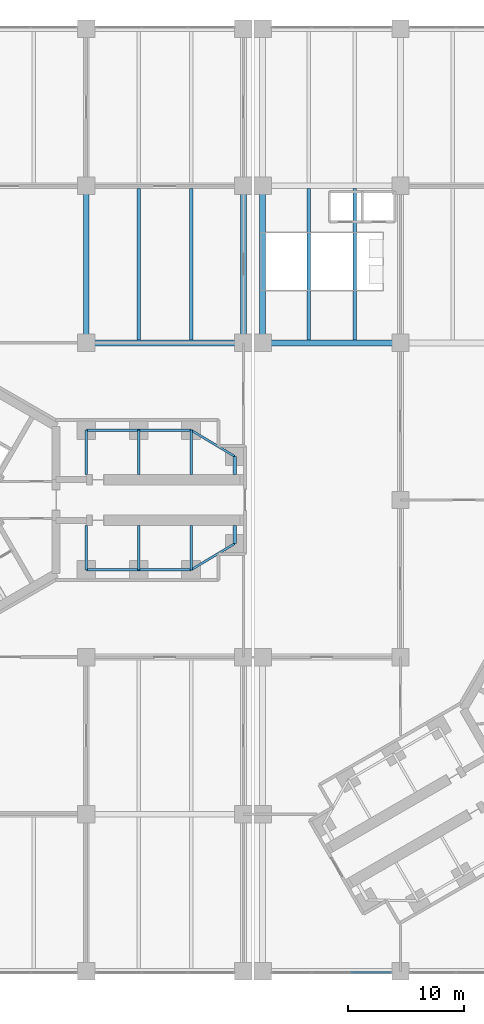
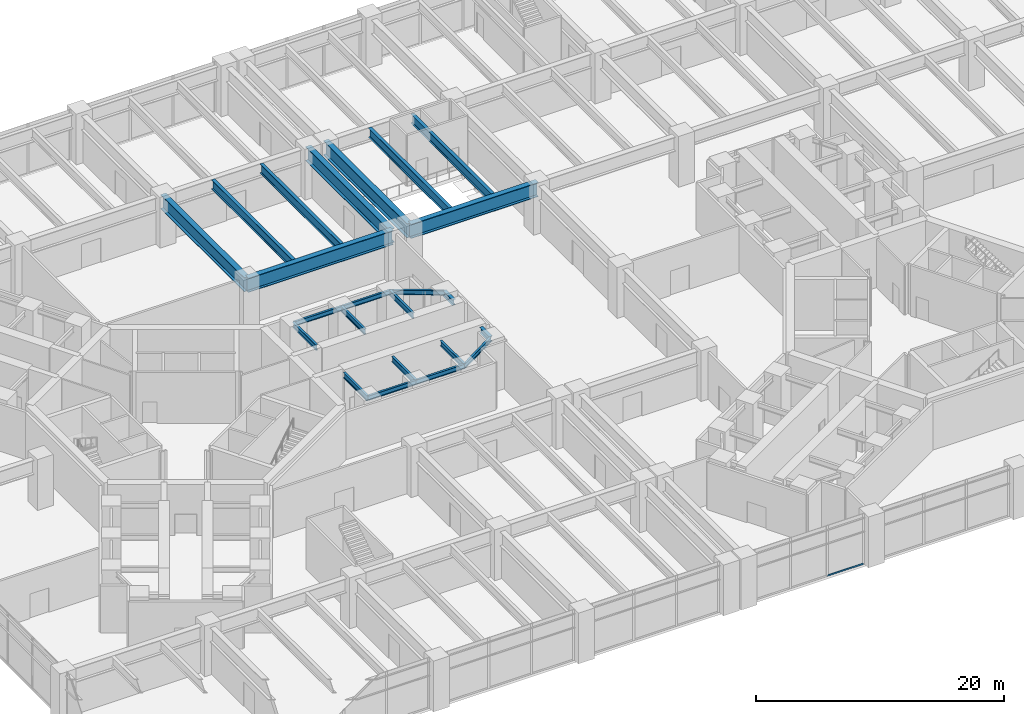
# One storey, part 8 of 31: 23 beams, 1 member, 1 element without a shape of its own.
"""IFC4 building model written with IfcOpenShell, lengths in metres."""

from ifc_helpers import new_model, si_unit, direction, frame, origin, origin_2d, place, context, subcontext, project, spatial, rectangle, i_section, extrude, material, material_profile, profile_set, type_object, element, aggregate, save


model = new_model("IFC4")

# Units and contexts
model_context = context("Model", 3, precision=1e-05, world=origin(), true_north=direction((0.0, 1.0)))
body_context = subcontext(model_context, "Body", "Model", "MODEL_VIEW")
ifc_project = project(units=[si_unit("LENGTHUNIT", "METRE"), si_unit("AREAUNIT", "SQUARE_METRE"), si_unit("VOLUMEUNIT", "CUBIC_METRE"), si_unit("PLANEANGLEUNIT", "RADIAN"), si_unit("MASSUNIT", "GRAM", prefix="KILO")], contexts=[model_context])

# Site, building, storey
site_placement = place(None, origin())
site = spatial("IfcSite", under=ifc_project, at=site_placement, CompositionType="ELEMENT")
building_placement = place(site_placement, origin())
building = spatial("IfcBuilding", under=site, at=building_placement, Name="Upepo Twin Towers", CompositionType="ELEMENT")
storey_placement = place(building_placement, frame((0.0, 0.0, 15.5)))
storey = spatial("IfcBuildingStorey", under=building, at=storey_placement, Name="L03", CompositionType="ELEMENT", Elevation=15.5)

# Beams
ifc_material_1 = material(Name="Steel S355", Category="steel")
ifc_material_profile_1 = material_profile(ifc_material_1, i_section(OverallWidth=0.5, OverallDepth=1.39990234375, WebThickness=0.02490234375, FlangeThickness=0.050048828125, FilletRadius=0.008056640625, at=origin_2d()), Name="PG 1400x500x25x50")
ifc_profile_set_1 = profile_set([ifc_material_profile_1], Name="Steel S355")
beam_type_1 = type_object("IfcBeamType", Name="Beam PG 1400x500x25x50", PredefinedType="BEAM", material=ifc_profile_set_1)
beam_1_placement = place(storey_placement, frame((13.5, 13.5, 3.949951171875), z_axis=(1.0, 0.0, 0.0), x_axis=(0.0, 1.0, 0.0)))
element("IfcBeam", 1, at=beam_1_placement, inside=storey, type_object=beam_type_1, Name="Podium girder E/4-5", PredefinedType="BEAM", context=body_context, shape_type="SweptSolid", body=[
    extrude(i_section(OverallWidth=0.5, OverallDepth=1.39990234375, WebThickness=0.02490234375, FlangeThickness=0.050048828125, FilletRadius=0.008056640625, at=origin_2d()), origin(), (0.0, 0.0, 1.0), 13.5),
])
beam_2_placement = place(storey_placement, frame((28.64990234375, 13.5, 3.949951171875), z_axis=(1.0, 0.0, 0.0), x_axis=(0.0, 1.0, 0.0)))
element("IfcBeam", 2, at=beam_2_placement, inside=storey, type_object=beam_type_1, Name="Podium girder E/5a-6", PredefinedType="BEAM", context=body_context, shape_type="SweptSolid", body=[
    extrude(i_section(OverallWidth=0.5, OverallDepth=1.39990234375, WebThickness=0.02490234375, FlangeThickness=0.050048828125, FilletRadius=0.008056640625, at=origin_2d()), origin(), (0.0, 0.0, 1.0), 11.85009765625),
])
for number, where, z_axis, x_axis, name in (
    (3, (13.5, 13.5, 3.949951171875), (0.0, 1.0, 0.0), (-1.0, 0.0, 0.0), "Podium girder 4/E-F"),
    (4, (27.0, 13.5, 3.949951171875), (0.0, 1.0, 0.0), (-1.0, 0.0, 0.0), "Podium girder 5/E-F"),
    (5, (28.64990234375, 13.5, 3.949951171875), (0.0, 1.0, 0.0), (-1.0, 0.0, 0.0), "Podium girder 5a/E-F"),
):
    element("IfcBeam", number, at=place(storey_placement, frame(where, z_axis=z_axis, x_axis=x_axis)), inside=storey, type_object=beam_type_1, Name=name, PredefinedType="BEAM", context=body_context, shape_type="SweptSolid", body=[
        extrude(i_section(OverallWidth=0.5, OverallDepth=1.39990234375, WebThickness=0.02490234375, FlangeThickness=0.050048828125, FilletRadius=0.008056640625, at=origin_2d()), origin(), (0.0, 0.0, 1.0), 13.5),
    ])
ifc_material_2 = material(Name="Steel S355", Category="steel")
ifc_material_profile_2 = material_profile(ifc_material_2, i_section(OverallWidth=0.1904296875, OverallDepth=0.45703125, WebThickness=0.009033203125, FlangeThickness=0.014404296875, FilletRadius=0.01025390625, at=origin_2d()), Name="UB 457x191x74")
ifc_profile_set_2 = profile_set([ifc_material_profile_2], Name="Steel S355")
beam_type_2 = type_object("IfcBeamType", Name="Beam UB 457x191x74", PredefinedType="BEAM", material=ifc_profile_set_2)
for number, where, z_axis, x_axis, name in (
    (6, (13.5, 6.0, 4.571533203125), (1.0, 0.0, 0.0), (0.0, 1.0, 0.0), "T1 edge beam AL 13.5-18.0"),
    (7, (18.0, 6.0, 4.571533203125), (1.0, 0.0, 0.0), (0.0, 1.0, 0.0), "T1 edge beam AL 18.0-22.5"),
):
    element("IfcBeam", number, at=place(storey_placement, frame(where, z_axis=z_axis, x_axis=x_axis)), inside=storey, type_object=beam_type_2, Name=name, PredefinedType="BEAM", context=body_context, shape_type="SweptSolid", body=[
        extrude(i_section(OverallWidth=0.1904296875, OverallDepth=0.45703125, WebThickness=0.009033203125, FlangeThickness=0.014404296875, FilletRadius=0.01025390625, at=origin_2d()), origin(), (0.0, 0.0, 1.0), 4.5),
    ])
beam_3_placement = place(storey_placement, frame((22.5, 6.0, 4.571533203125), z_axis=(0.857492925713, -0.514495755428, 0.0), x_axis=(0.514495755428, 0.857492925713, 0.0)))
element("IfcBeam", 8, at=beam_3_placement, inside=storey, type_object=beam_type_2, Name="T1 nose edge beam AL", PredefinedType="BEAM", context=body_context, shape_type="SweptSolid", body=[
    extrude(i_section(OverallWidth=0.1904296875, OverallDepth=0.45703125, WebThickness=0.009033203125, FlangeThickness=0.014404296875, FilletRadius=0.01025390625, at=origin_2d()), origin(), (0.0, 0.0, 1.0), 4.373291015625),
])
for number, where, z_axis, x_axis, name in (
    (9, (13.5, -6.0, 4.571533203125), (1.0, 0.0, 0.0), (0.0, 1.0, 0.0), "T1 edge beam AR 13.5-18.0"),
    (10, (18.0, -6.0, 4.571533203125), (1.0, 0.0, 0.0), (0.0, 1.0, 0.0), "T1 edge beam AR 18.0-22.5"),
):
    element("IfcBeam", number, at=place(storey_placement, frame(where, z_axis=z_axis, x_axis=x_axis)), inside=storey, type_object=beam_type_2, Name=name, PredefinedType="BEAM", context=body_context, shape_type="SweptSolid", body=[
        extrude(i_section(OverallWidth=0.1904296875, OverallDepth=0.45703125, WebThickness=0.009033203125, FlangeThickness=0.014404296875, FilletRadius=0.01025390625, at=origin_2d()), origin(), (0.0, 0.0, 1.0), 4.5),
    ])
beam_4_placement = place(storey_placement, frame((22.5, -6.0, 4.571533203125), z_axis=(0.857492925713, 0.514495755428, 0.0), x_axis=(-0.514495755428, 0.857492925713, 0.0)))
element("IfcBeam", 11, at=beam_4_placement, inside=storey, type_object=beam_type_2, Name="T1 nose edge beam AR", PredefinedType="BEAM", context=body_context, shape_type="SweptSolid", body=[
    extrude(i_section(OverallWidth=0.1904296875, OverallDepth=0.45703125, WebThickness=0.009033203125, FlangeThickness=0.014404296875, FilletRadius=0.01025390625, at=origin_2d()), origin(), (0.0, 0.0, 1.0), 4.373291015625),
])
ifc_material_3 = material(Name="Steel S355", Category="steel")
ifc_material_profile_3 = material_profile(ifc_material_3, i_section(OverallWidth=0.209228515625, OverallDepth=0.533203125, WebThickness=0.010009765625, FlangeThickness=0.015625, FilletRadius=0.0126953125, at=origin_2d()), Name="UB 533x210x92")
ifc_profile_set_3 = profile_set([ifc_material_profile_3], Name="Steel S355")
beam_type_3 = type_object("IfcBeamType", Name="Beam UB 533x210x92", PredefinedType="BEAM", material=ifc_profile_set_3)
for number, where, z_axis, x_axis, name in (
    (12, (13.5, 6.0, 4.533447265625), (0.0, -1.0, 0.0), (1.0, 0.0, 0.0), "T1 girder AL at 13.5"),
    (13, (18.0, 6.0, 4.533447265625), (0.0, -1.0, 0.0), (1.0, 0.0, 0.0), "T1 girder AL at 18.0"),
    (14, (22.5, 6.0, 4.533447265625), (0.0, -1.0, 0.0), (1.0, 0.0, 0.0), "T1 girder AL at 22.5"),
    (15, (13.5, -6.0, 4.533447265625), (0.0, 1.0, 0.0), (-1.0, 0.0, 0.0), "T1 girder AR at 13.5"),
    (16, (18.0, -6.0, 4.533447265625), (0.0, 1.0, 0.0), (-1.0, 0.0, 0.0), "T1 girder AR at 18.0"),
    (17, (22.5, -6.0, 4.533447265625), (0.0, 1.0, 0.0), (-1.0, 0.0, 0.0), "T1 girder AR at 22.5"),
):
    element("IfcBeam", number, at=place(storey_placement, frame(where, z_axis=z_axis, x_axis=x_axis)), inside=storey, type_object=beam_type_3, Name=name, PredefinedType="BEAM", context=body_context, shape_type="SweptSolid", body=[
        extrude(i_section(OverallWidth=0.209228515625, OverallDepth=0.533203125, WebThickness=0.010009765625, FlangeThickness=0.015625, FilletRadius=0.0126953125, at=origin_2d()), origin(), (0.0, 0.0, 1.0), 3.800048828125),
    ])
ifc_material_4 = material(Name="Steel S355", Category="steel")
ifc_material_profile_4 = material_profile(ifc_material_4, i_section(OverallWidth=0.31201171875, OverallDepth=0.54345703125, WebThickness=0.0126953125, FlangeThickness=0.020263671875, FilletRadius=0.0126953125, at=origin_2d()), Name="UB 533x312x150")
ifc_profile_set_4 = profile_set([ifc_material_profile_4], Name="Steel S355")
beam_type_4 = type_object("IfcBeamType", Name="Beam UB 533x312x150", PredefinedType="BEAM", material=ifc_profile_set_4)
for number, where, z_axis, x_axis, name in (
    (18, (26.25, 3.75, 4.5283203125), (0.0, -1.0, 0.0), (1.0, 0.0, 0.0), "T1 nose beam AL"),
    (19, (26.25, -3.75, 4.5283203125), (0.0, 1.0, 0.0), (-1.0, 0.0, 0.0), "T1 nose beam AR"),
):
    element("IfcBeam", number, at=place(storey_placement, frame(where, z_axis=z_axis, x_axis=x_axis)), inside=storey, type_object=beam_type_4, Name=name, PredefinedType="BEAM", context=body_context, shape_type="SweptSolid", body=[
        extrude(i_section(OverallWidth=0.31201171875, OverallDepth=0.54345703125, WebThickness=0.0126953125, FlangeThickness=0.020263671875, FilletRadius=0.0126953125, at=origin_2d()), origin(), (0.0, 0.0, 1.0), 1.550048828125),
    ])
ifc_material_5 = material(Name="Steel S355", Category="steel")
ifc_material_profile_5 = material_profile(ifc_material_5, i_section(OverallWidth=0.305419921875, OverallDepth=0.91845703125, WebThickness=0.017333984375, FlangeThickness=0.02783203125, FilletRadius=0.01904296875, at=origin_2d()), Name="UB 914x305x253")
ifc_profile_set_5 = profile_set([ifc_material_profile_5], Name="Steel S355")
beam_type_5 = type_object("IfcBeamType", Name="Secondary beam UB 914x305x253", PredefinedType="JOIST", material=ifc_profile_set_5)
for number, where, z_axis, x_axis, name in (
    (20, (18.0, 13.75, 4.19091796875), (0.0, 1.0, 0.0), (-1.0, 0.0, 0.0), "Podium secondary beam E4.1"),
    (21, (22.5, 13.75, 4.19091796875), (0.0, 1.0, 0.0), (-1.0, 0.0, 0.0), "Podium secondary beam E4.2"),
    (22, (32.60009765625, 13.75, 4.19091796875), (0.0, 1.0, 0.0), (-1.0, 0.0, 0.0), "Podium secondary beam E5a.1"),
    (23, (36.550048828125, 13.75, 4.19091796875), (0.0, 1.0, 0.0), (-1.0, 0.0, 0.0), "Podium secondary beam E5a.2"),
):
    element("IfcBeam", number, at=place(storey_placement, frame(where, z_axis=z_axis, x_axis=x_axis)), inside=storey, type_object=beam_type_5, Name=name, PredefinedType="JOIST", context=body_context, shape_type="SweptSolid", body=[
        extrude(i_section(OverallWidth=0.305419921875, OverallDepth=0.91845703125, WebThickness=0.017333984375, FlangeThickness=0.02783203125, FilletRadius=0.01904296875, at=origin_2d()), origin(), (0.0, 0.0, 1.0), 13.0),
    ])

# Curtain wall, member
ifc_material_6 = material(Name="Aluminium and clear glass", Category="aluminium")
curtain_wall_type = type_object("IfcCurtainWallType", Name="Podium curtain wall PW1", PredefinedType="NOTDEFINED", material=ifc_material_6)
curtain_wall_placement = place(storey_placement, origin())
curtain_wall = element("IfcCurtainWall", 24, at=curtain_wall_placement, inside=storey, type_object=curtain_wall_type, Name="Podium L03 curtain wall S5", PredefinedType="NOTDEFINED")
ifc_material_7 = material(Name="Aluminium transom", Category="aluminium")
ifc_material_profile_6 = material_profile(ifc_material_7, rectangle(XDim=0.06494140625, YDim=0.14990234375, at=origin_2d()), Name="TRANSOM 65x150 PODIUM")
ifc_profile_set_6 = profile_set([ifc_material_profile_6], Name="Aluminium transom")
member_type = type_object("IfcMemberType", Name="Transom 65x150 PW1", PredefinedType="USERDEFINED", material=ifc_profile_set_6)
member_placement = place(storey_placement, frame((36.32080078125, -40.60009765625, 0.074951171875), z_axis=(1.0, 0.0, 0.0), x_axis=(0.0, 1.0, 0.0)))
member = element("IfcMember", 25, at=member_placement, type_object=member_type, Name="Podium L03 curtain wall S5 transom 3", ObjectType="TRANSOM", PredefinedType="USERDEFINED", context=body_context, shape_type="SweptSolid", body=[
    extrude(rectangle(XDim=0.06494140625, YDim=0.14990234375, at=origin_2d()), origin(), (0.0, 0.0, 1.0), 3.3291015625),
])
aggregate(curtain_wall, [member])

save(model, "model.ifc")
